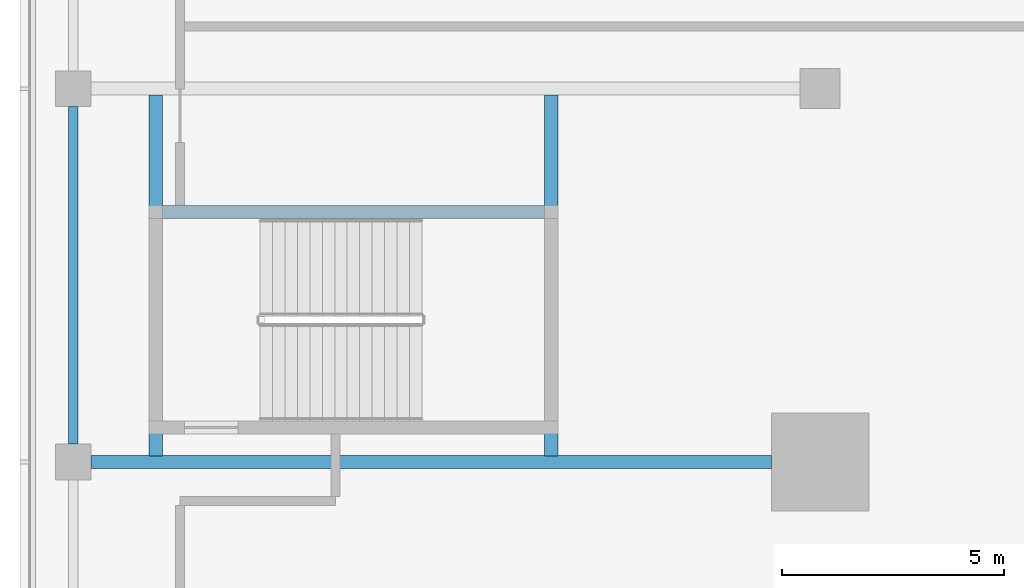
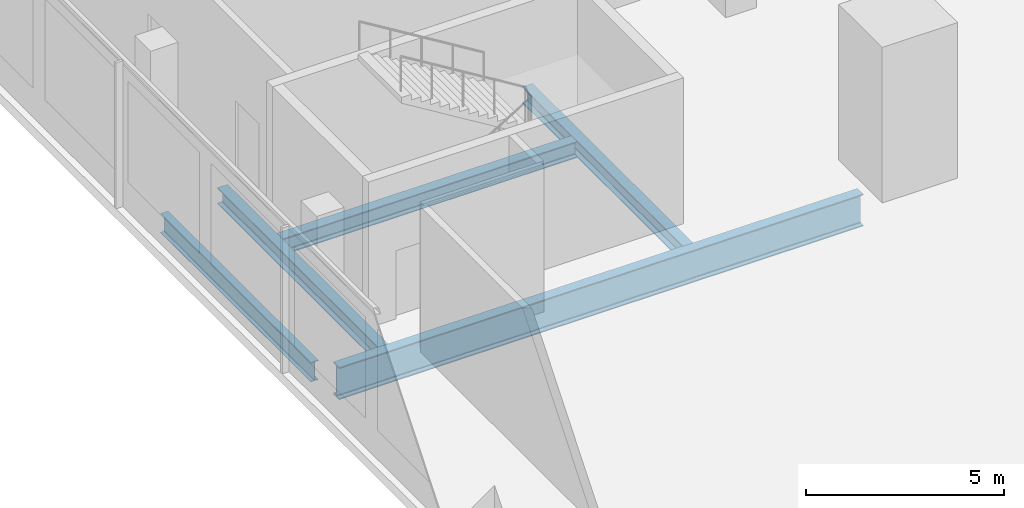
# One storey, part 3 of 39: 5 beams.
"""IFC4 building model written with IfcOpenShell, lengths in metres."""

from ifc_helpers import new_model, si_unit, direction, frame, origin, origin_2d, place, context, subcontext, project, spatial, i_section, extrude, material, material_profile, profile_set, type_object, element, save


model = new_model("IFC4")

# Units and contexts
model_context = context("Model", 3, precision=1e-05, world=origin(), true_north=direction((0.0, 1.0)))
body_context = subcontext(model_context, "Body", "Model", "MODEL_VIEW")
ifc_project = project(units=[si_unit("LENGTHUNIT", "METRE"), si_unit("AREAUNIT", "SQUARE_METRE"), si_unit("VOLUMEUNIT", "CUBIC_METRE"), si_unit("PLANEANGLEUNIT", "RADIAN"), si_unit("MASSUNIT", "GRAM", prefix="KILO")], contexts=[model_context])

# Site, building, storey
site_placement = place(None, origin())
site = spatial("IfcSite", under=ifc_project, at=site_placement, CompositionType="ELEMENT")
building_placement = place(site_placement, origin())
building = spatial("IfcBuilding", under=site, at=building_placement, Name="Saffron Gate Tower", CompositionType="ELEMENT")
storey_placement = place(building_placement, frame((0.0, 0.0, 14.39990234375)))
storey = spatial("IfcBuildingStorey", under=building, at=storey_placement, Name="L02", CompositionType="ELEMENT", Elevation=14.39990234375)

# Beams
ifc_material = material(Name="Structural steel S355", Category="steel")
ifc_material_profile_1 = material_profile(ifc_material, i_section(OverallWidth=0.219970703125, OverallDepth=0.60009765625, WebThickness=0.011962890625, FlangeThickness=0.01904296875, FilletRadius=0.02392578125, at=origin_2d()))
ifc_profile_set_1 = profile_set([ifc_material_profile_1], Name="Structural steel S355")
beam_type_1 = type_object("IfcBeamType", Name="B15 IPE 600", PredefinedType="BEAM", material=ifc_profile_set_1)
beam_1_placement = place(storey_placement, frame((33.0, 40.60009765625, -0.599853515625), z_axis=(0.0, 1.0, 0.0), x_axis=(-1.0, 0.0, 0.0)))
element("IfcBeam", 1, at=beam_1_placement, inside=storey, type_object=beam_type_1, Name="B15 PODIUM EDGE BEAM", PredefinedType="BEAM", context=body_context, shape_type="SweptSolid", body=[
    extrude(i_section(OverallWidth=0.219970703125, OverallDepth=0.60009765625, WebThickness=0.011962890625, FlangeThickness=0.01904296875, FilletRadius=0.02392578125, at=origin_2d()), origin(), (0.0, 0.0, 1.0), 7.599853515625),
])
ifc_material_profile_2 = material_profile(ifc_material, i_section(OverallWidth=0.300048828125, OverallDepth=0.989990234375, WebThickness=0.0166015625, FlangeThickness=0.031005859375, FilletRadius=0.030029296875, at=origin_2d()))
ifc_profile_set_2 = profile_set([ifc_material_profile_2], Name="Structural steel S355")
beam_type_2 = type_object("IfcBeamType", Name="B21 HEA 1000", PredefinedType="BEAM", material=ifc_profile_set_2)
beam_2_placement = place(storey_placement, frame((33.39990234375, 40.199951171875, -0.794921875), z_axis=(1.0, 0.0, 0.0), x_axis=(0.0, 1.0, 0.0)))
element("IfcBeam", 2, at=beam_2_placement, inside=storey, type_object=beam_type_2, Name="B21 PODIUM RING GIRDER", PredefinedType="BEAM", context=body_context, shape_type="SweptSolid", body=[
    extrude(i_section(OverallWidth=0.300048828125, OverallDepth=0.989990234375, WebThickness=0.0166015625, FlangeThickness=0.031005859375, FilletRadius=0.030029296875, at=origin_2d()), origin(), (0.0, 0.0, 1.0), 15.300048828125),
])
ifc_material_profile_3 = material_profile(ifc_material, i_section(OverallWidth=0.300048828125, OverallDepth=0.5, WebThickness=0.014404296875, FlangeThickness=0.028076171875, FilletRadius=0.027099609375, at=origin_2d()))
ifc_profile_set_3 = profile_set([ifc_material_profile_3], Name="Structural steel S355")
beam_type_3 = type_object("IfcBeamType", Name="B9 HEB 500", PredefinedType="BEAM", material=ifc_profile_set_3)
for number, where, z_axis, x_axis, name in (
    (3, (34.85009765625, 40.340087890625, -0.5498046875), (0.0, 1.0, 0.0), (-1.0, 0.0, 0.0), "B9 STAIR ENCLOSURE HEADER BEAM"),
    (4, (43.75, 40.340087890625, -0.5498046875), (0.0, 1.0, 0.0), (-1.0, 0.0, 0.0), "B9 STAIR ENCLOSURE HEADER BEAM"),
):
    element("IfcBeam", number, at=place(storey_placement, frame(where, z_axis=z_axis, x_axis=x_axis)), inside=storey, type_object=beam_type_3, Name=name, PredefinedType="BEAM", context=body_context, shape_type="SweptSolid", body=[
        extrude(i_section(OverallWidth=0.300048828125, OverallDepth=0.5, WebThickness=0.014404296875, FlangeThickness=0.028076171875, FilletRadius=0.027099609375, at=origin_2d()), origin(), (0.0, 0.0, 1.0), 8.119873046875),
    ])
beam_3_placement = place(storey_placement, frame((34.989990234375, 45.824951171875, -0.5498046875), z_axis=(1.0, 0.0, 0.0), x_axis=(0.0, 1.0, 0.0)))
element("IfcBeam", 5, at=beam_3_placement, inside=storey, type_object=beam_type_3, Name="B9 STAIR ENCLOSURE TRIMMER BEAM", PredefinedType="BEAM", context=body_context, shape_type="SweptSolid", body=[
    extrude(i_section(OverallWidth=0.300048828125, OverallDepth=0.5, WebThickness=0.014404296875, FlangeThickness=0.028076171875, FilletRadius=0.027099609375, at=origin_2d()), origin(), (0.0, 0.0, 1.0), 8.6201171875),
])

save(model, "model.ifc")
